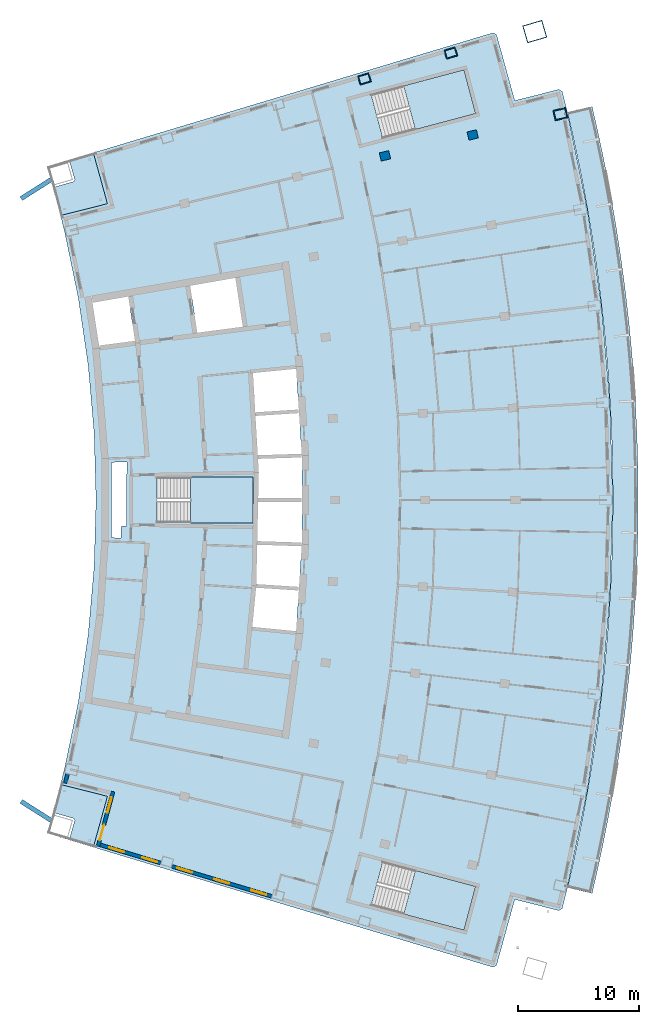
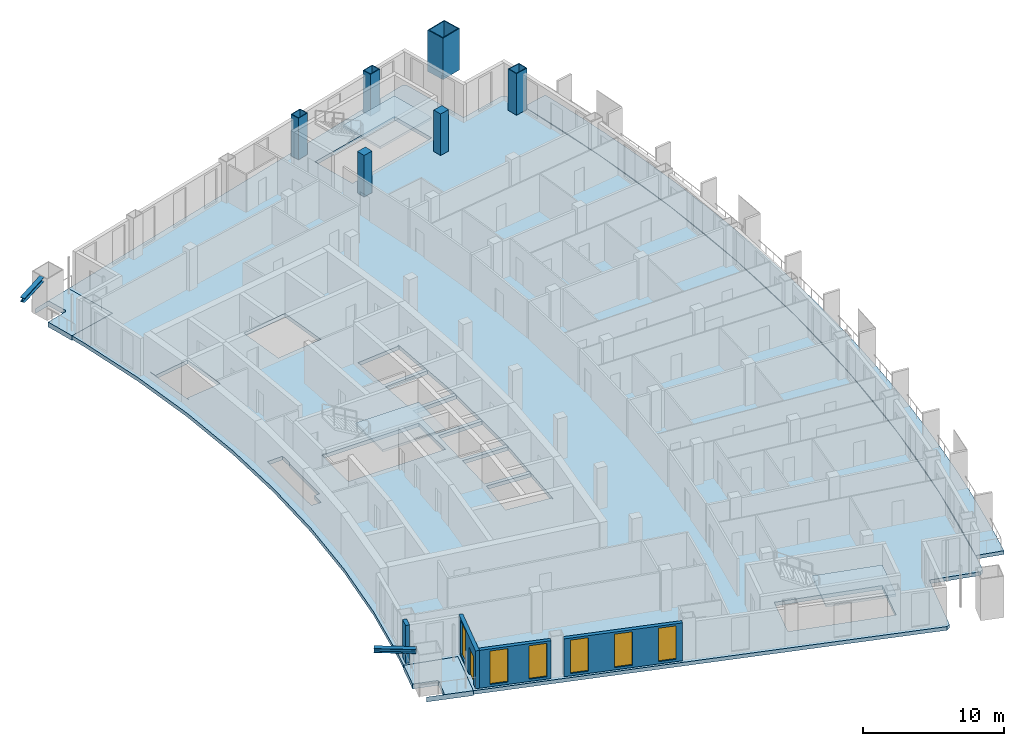
# One storey, part 8 of 19: 7 slabs, 6 columns, 6 windows, 4 walls, 2 members, 1 door, 7 openings, 3 elements without a shape of their own.
"""IFC4 building model written with IfcOpenShell, lengths in metres."""

from ifc_helpers import new_model, si_unit, direction, frame, frame_2d, origin, origin_2d, place, context, subcontext, project, spatial, polyline, rectangle, hollow_rectangle, i_section, outline, extrude, material, layer, layer_set, material_profile, profile_set, type_object, element, fill, aggregate, save


model = new_model("IFC4")

# Units and contexts
model_context = context("Model", 3, precision=1e-05, world=origin(), true_north=direction((0.0, 1.0)))
body_context = subcontext(model_context, "Body", "Model", "MODEL_VIEW")
ifc_project = project(units=[si_unit("LENGTHUNIT", "METRE"), si_unit("AREAUNIT", "SQUARE_METRE"), si_unit("VOLUMEUNIT", "CUBIC_METRE"), si_unit("PLANEANGLEUNIT", "RADIAN"), si_unit("MASSUNIT", "GRAM", prefix="KILO")], contexts=[model_context])

# Site, building, storey
site_placement = place(None, origin())
site = spatial("IfcSite", under=ifc_project, at=site_placement, CompositionType="ELEMENT")
building_placement = place(site_placement, origin())
building = spatial("IfcBuilding", under=site, at=building_placement, Name="Alderwake Tower", CompositionType="ELEMENT")
storey_placement = place(building_placement, frame((0.0, 0.0, 203.60009765625)))
storey = spatial("IfcBuildingStorey", under=building, at=storey_placement, Name="L50", CompositionType="ELEMENT", Elevation=203.60009765625)

# Columns
ifc_material_1 = material(Name="Steel ASTM A572 Grade 50 concrete filled C70/85", Category="concrete")
ifc_material_profile_1 = material_profile(ifc_material_1, hollow_rectangle(XDim=0.75, YDim=0.949951171875, WallThickness=0.054931640625, at=origin_2d()), Name="BOX 950X750X55")
ifc_profile_set_1 = profile_set([ifc_material_profile_1], Name="Steel ASTM A572 Grade 50 concrete filled C70/85")
column_type_1 = type_object("IfcColumnType", Name="End column Z4", PredefinedType="COLUMN", material=ifc_profile_set_1)
for number, where, z_axis, x_axis, name in (
    (1, (38.231689453125, 95.8701171875, 0.0), (0.0, 0.0, 1.0), (-0.282883890943, 0.959154160834, 0.0), "Column R12-C3"),
    (2, (45.383056640625, 98.01708984375, 0.0), (0.0, 0.0, 1.0), (-0.283150052378, 0.959075621543, 0.0), "Column R12-C4"),
):
    element("IfcColumn", number, at=place(storey_placement, frame(where, z_axis=z_axis, x_axis=x_axis)), inside=storey, type_object=column_type_1, Name=name, PredefinedType="COLUMN", context=body_context, shape_type="SweptSolid", body=[
        extrude(hollow_rectangle(XDim=0.75, YDim=0.949951171875, WallThickness=0.054931640625, at=origin_2d()), origin(), (0.0, 0.0, 1.0), 3.599853515625),
    ])
ifc_material_2 = material(Name="Concrete C70/85", Category="concrete")
ifc_material_profile_2 = material_profile(ifc_material_2, rectangle(XDim=0.699951171875, YDim=0.800048828125, at=origin_2d()), Name="RC 800X700")
ifc_profile_set_2 = profile_set([ifc_material_profile_2], Name="Concrete C70/85")
column_type_2 = type_object("IfcColumnType", Name="Interior column Z4", PredefinedType="COLUMN", material=ifc_profile_set_2)
for number, where, z_axis, x_axis, name in (
    (3, (39.92626953125, 89.501953125, 0.0), (0.0, 0.0, 1.0), (-0.231221547198, 0.972901123502, 0.0), "Column R11-C3"),
    (4, (47.190673828125, 91.228515625, 0.0), (0.0, 0.0, 1.0), (-0.231221547198, 0.972901123502, 0.0), "Column R11-C4"),
):
    element("IfcColumn", number, at=place(storey_placement, frame(where, z_axis=z_axis, x_axis=x_axis)), inside=storey, type_object=column_type_2, Name=name, PredefinedType="COLUMN", context=body_context, shape_type="SweptSolid", body=[
        extrude(rectangle(XDim=0.699951171875, YDim=0.800048828125, at=origin_2d()), origin(), (0.0, 0.0, 1.0), 3.599853515625),
    ])
ifc_material_3 = material(Name="Steel ASTM A572 Grade 50 concrete filled C70/85", Category="concrete")
ifc_material_profile_3 = material_profile(ifc_material_3, hollow_rectangle(XDim=1.5, YDim=1.699951171875, WallThickness=0.074951171875, at=origin_2d()), Name="BOX 1700X1500X75")
ifc_profile_set_3 = profile_set([ifc_material_profile_3], Name="Steel ASTM A572 Grade 50 concrete filled C70/85")
column_type_3 = type_object("IfcColumnType", Name="Mega column Z4", PredefinedType="COLUMN", material=ifc_profile_set_3)
column_1_placement = place(storey_placement, frame((52.331298828125, 99.7919921875, 0.0), z_axis=(0.0, 0.0, 1.0), x_axis=(-0.281304888972, 0.959618444717, 0.0)))
element("IfcColumn", 5, at=column_1_placement, inside=storey, type_object=column_type_3, Name="Column R12-C5", PredefinedType="COLUMN", context=body_context, shape_type="SweptSolid", body=[
    extrude(hollow_rectangle(XDim=1.5, YDim=1.699951171875, WallThickness=0.074951171875, at=origin_2d()), origin(), (0.0, 0.0, 1.0), 3.599853515625),
])
ifc_material_4 = material(Name="Steel ASTM A572 Grade 50 concrete filled C70/85", Category="concrete")
ifc_material_profile_4 = material_profile(ifc_material_4, hollow_rectangle(XDim=0.85009765625, YDim=1.050048828125, WallThickness=0.054931640625, at=origin_2d()), Name="BOX 1050X850X55")
ifc_profile_set_4 = profile_set([ifc_material_profile_4], Name="Steel ASTM A572 Grade 50 concrete filled C70/85")
column_type_4 = type_object("IfcColumnType", Name="Perimeter column Z4", PredefinedType="COLUMN", material=ifc_profile_set_4)
column_2_placement = place(storey_placement, frame((54.454833984375, 92.954833984375, 0.0), z_axis=(0.0, 0.0, 1.0), x_axis=(-0.231221547198, 0.972901123502, 0.0)))
element("IfcColumn", 6, at=column_2_placement, inside=storey, type_object=column_type_4, Name="Column R11-C5", PredefinedType="COLUMN", context=body_context, shape_type="SweptSolid", body=[
    extrude(hollow_rectangle(XDim=0.85009765625, YDim=1.050048828125, WallThickness=0.054931640625, at=origin_2d()), origin(), (0.0, 0.0, 1.0), 3.599853515625),
])

# Members
ifc_material_5 = material(Name="Steel ASTM A992 Grade 50", Category="steel")
ifc_material_profile_5 = material_profile(ifc_material_5, i_section(OverallWidth=0.3740234375, OverallDepth=0.372314453125, WebThickness=0.016357421875, FlangeThickness=0.026123046875, at=origin_2d()), Name="W14X132")
ifc_profile_set_5 = profile_set([ifc_material_profile_5], Name="Steel ASTM A992 Grade 50")
member_type = type_object("IfcMemberType", Name="Brace node stub W14X132", PredefinedType="MEMBER", material=ifc_profile_set_5)
for number, where, z_axis, x_axis, name in (
    (7, (12.35009765625, 34.422119140625, 3.393798828125), (-0.844643389982, 0.535329378757, 0.0), (-0.535329378757, -0.844643389982, 0.0), "Brace node stub BS.RR02-C0.2072"),
    (8, (12.35009765625, 87.577880859375, 3.393798828125), (-0.844643389982, -0.535329378757, 0.0), (0.535329378757, -0.844643389982, 0.0), "Brace node stub BS.RR12-C0.2072"),
):
    element("IfcMember", number, at=place(storey_placement, frame(where, z_axis=z_axis, x_axis=x_axis)), inside=storey, type_object=member_type, Name=name, PredefinedType="MEMBER", context=body_context, shape_type="SweptSolid", body=[
        extrude(i_section(OverallWidth=0.3740234375, OverallDepth=0.372314453125, WebThickness=0.016357421875, FlangeThickness=0.026123046875, at=origin_2d()), origin(), (0.0, 0.0, 1.0), 3.015869140625),
    ])

# Slabs
ifc_material_6 = material(Name="Concrete C50/60", Category="concrete")
ifc_layer_1 = layer(ifc_material_6, 0.320068359375)
ifc_layer_set_1 = layer_set([ifc_layer_1], Name="Balcony slab 320")
slab_type_1 = type_object("IfcSlabType", Name="Balcony slab 320", PredefinedType="FLOOR", material=ifc_layer_set_1)
slab_1_placement = place(storey_placement, frame((0.0, 0.0, -0.320068359375)))
element("IfcSlab", 9, at=slab_1_placement, inside=storey, type_object=slab_type_1, Name="Balcony BF03", PredefinedType="FLOOR", context=body_context, shape_type="SweptSolid", body=[
    extrude(outline(polyline([(57.081787109375, 28.4208984375), (57.542236328125, 30.42333984375), (57.973388671875, 32.432373046875), (58.37548828125, 34.447509765625), (58.748046875, 36.46826171875), (59.091064453125, 38.494140625), (59.404296875, 40.52490234375), (59.68798828125, 42.559814453125), (59.942138671875, 44.598876953125), (60.16650390625, 46.641357421875), (60.361083984375, 48.68701171875), (60.525634765625, 50.735107421875), (60.660400390625, 52.785400390625), (60.76513671875, 54.837646484375), (60.840087890625, 56.89111328125), (60.885009765625, 58.9453125), (60.89990234375, 61.0), (60.885009765625, 63.0546875), (60.840087890625, 65.10888671875), (60.76513671875, 67.162353515625), (60.660400390625, 69.214599609375), (60.525634765625, 71.264892578125), (60.361083984375, 73.31298828125), (60.16650390625, 75.358642578125), (59.942138671875, 77.401123046875), (59.68798828125, 79.440185546875), (59.404296875, 81.47509765625), (59.091064453125, 83.505859375), (58.748046875, 85.53173828125), (58.37548828125, 87.552490234375), (57.973388671875, 89.567626953125), (57.542236328125, 91.57666015625), (57.081787109375, 93.5791015625), (55.038818359375, 93.093505859375), (55.4921875, 91.120849609375), (55.917236328125, 89.141845703125), (56.31298828125, 87.15673828125), (56.679931640625, 85.166259765625), (57.017822265625, 83.17041015625), (57.32666015625, 81.169921875), (57.606201171875, 79.165283203125), (57.8564453125, 77.156494140625), (58.077392578125, 75.14453125), (58.26904296875, 73.12939453125), (58.43115234375, 71.11181640625), (58.56396484375, 69.092041015625), (58.667236328125, 67.070556640625), (58.740966796875, 65.0478515625), (58.78515625, 63.024169921875), (58.800048828125, 61.0), (58.78515625, 58.975830078125), (58.740966796875, 56.9521484375), (58.667236328125, 54.929443359375), (58.56396484375, 52.907958984375), (58.43115234375, 50.88818359375), (58.26904296875, 48.87060546875), (58.077392578125, 46.85546875), (57.8564453125, 44.843505859375), (57.606201171875, 42.834716796875), (57.32666015625, 40.830078125), (57.017822265625, 38.82958984375), (56.679931640625, 36.833740234375), (56.31298828125, 34.84326171875), (55.917236328125, 32.858154296875), (55.4921875, 30.879150390625), (55.038818359375, 28.906494140625), (57.081787109375, 28.4208984375)])), origin(), (0.0, 0.0, 1.0), 0.320068359375),
])
ifc_material_7 = material(Name="Concrete C50/60", Category="concrete")
ifc_layer_2 = layer(ifc_material_7, 0.320068359375)
ifc_layer_set_2 = layer_set([ifc_layer_2], Name="Concrete C50/60 post-tensioned flat plate 320")
slab_type_2 = type_object("IfcSlabType", Name="Concrete C50/60 post-tensioned flat plate 320", PredefinedType="FLOOR", material=ifc_layer_set_2)
slab_2_placement = place(storey_placement, frame((0.0, 0.0, -0.320068359375)))
element("IfcSlab", 10, at=slab_2_placement, inside=storey, type_object=slab_type_2, Name="Floor slab L50", PredefinedType="FLOOR", context=body_context, shape_type="SweptSolid", body=[
    extrude(outline(polyline([(13.06494140625, 37.443115234375), (13.3984375, 38.802734375), (14.53369140625, 44.28564453125), (15.347412109375, 49.825439453125), (15.836669921875, 55.4033203125), (16.0, 61.0), (15.836669921875, 66.5966796875), (15.347412109375, 72.174560546875), (14.53369140625, 77.71435546875), (13.3984375, 83.197265625), (13.06494140625, 84.556884765625), (16.942626953125, 85.53857421875), (15.776611328125, 89.7548828125), (48.88671875, 99.695556640625), (49.168212890625, 99.539794921875), (50.6787109375, 94.077880859375), (54.333251953125, 95.0029296875), (54.611083984375, 94.8359375), (55.038818359375, 93.093505859375), (56.679931640625, 85.166259765625), (57.8564453125, 77.156494140625), (58.56396484375, 69.092041015625), (58.800048828125, 61.0), (58.56396484375, 52.907958984375), (57.8564453125, 44.843505859375), (56.679931640625, 36.833740234375), (55.038818359375, 28.906494140625), (54.611083984375, 27.1640625), (54.333251953125, 26.9970703125), (50.6787109375, 27.922119140625), (49.168212890625, 22.460205078125), (48.88671875, 22.304443359375), (15.776611328125, 32.2451171875), (16.942626953125, 36.46142578125), (13.06494140625, 37.443115234375)]), holes=[polyline([(29.25732421875, 53.7685546875), (28.939697265625, 50.49072265625), (32.546875, 50.1376953125), (32.5322265625, 49.988525390625), (32.562255859375, 49.985595703125), (32.80126953125, 53.654541015625), (33.0400390625, 57.323486328125), (33.0400390625, 61.0), (33.0400390625, 64.676513671875), (32.80126953125, 68.345458984375), (32.562255859375, 72.014404296875), (32.532470703125, 72.011474609375), (32.547119140625, 71.8623046875), (28.886962890625, 71.50390625), (28.88720703125, 71.50048828125), (28.99462890625, 71.506591796875), (29.184814453125, 68.26025390625), (32.761474609375, 68.4931640625), (32.771240234375, 68.343505859375), (32.781005859375, 68.19384765625), (29.2021484375, 67.960693359375), (29.392578125, 64.7080078125), (33.005126953125, 64.82568359375), (33.010009765625, 64.67578125), (33.014892578125, 64.525634765625), (29.41015625, 64.408447265625), (29.4765625, 63.27685546875), (29.429443359375, 61.14990234375), (33.010009765625, 61.14990234375), (33.010009765625, 61.0), (33.010009765625, 60.85009765625), (29.4228515625, 60.85009765625), (29.350830078125, 57.593505859375), (33.014892578125, 57.474365234375), (33.010009765625, 57.32421875), (33.005126953125, 57.17431640625), (29.34423828125, 57.29345703125), (29.2705078125, 53.9697265625), (29.274169921875, 53.969482421875), (29.2783203125, 54.0341796875), (32.781005859375, 53.80615234375), (32.771240234375, 53.656494140625), (32.761474609375, 53.5068359375), (29.2587890625, 53.73486328125), (29.260986328125, 53.768310546875), (29.25732421875, 53.7685546875)]), polyline([(21.050048828125, 62.875), (21.050048828125, 59.125), (29.0, 59.125), (29.0, 62.875), (21.050048828125, 62.875)]), polyline([(15.64111328125, 77.91015625), (15.487060546875, 77.8828125), (15.487548828125, 77.879150390625), (15.617919921875, 77.899169921875), (16.280029296875, 73.5927734375), (16.31005859375, 73.5966796875), (16.2841796875, 73.794921875), (19.224853515625, 74.1796875), (18.673095703125, 77.842041015625), (18.869140625, 77.87158203125), (18.8671875, 77.8837890625), (15.740234375, 77.340087890625), (15.64111328125, 77.91015625)]), polyline([(27.538330078125, 79.39111328125), (23.794921875, 78.740478515625), (24.384033203125, 74.8583984375), (24.36865234375, 74.856201171875), (24.369140625, 74.8525390625), (28.152587890625, 75.347412109375), (27.538330078125, 79.39111328125)]), polyline([(47.436279296875, 28.996826171875), (39.754150390625, 31.043212890625), (38.7890625, 27.41943359375), (46.47119140625, 25.373291015625), (47.436279296875, 28.996826171875)]), polyline([(46.47119140625, 96.626708984375), (38.7890625, 94.58056640625), (39.754150390625, 90.956787109375), (47.436279296875, 93.003173828125), (46.47119140625, 96.626708984375)]), polyline([(17.289306640625, 64.118408203125), (17.289306640625, 57.881591796875), (18.06298828125, 57.85400390625), (18.090576171875, 58.84375), (18.544189453125, 58.831298828125), (18.529296875, 58.8681640625), (18.5234375, 58.891845703125), (18.5185546875, 58.940673828125), (18.5185546875, 63.060302734375), (18.5234375, 63.109130859375), (18.53759765625, 63.156005859375), (18.560791015625, 63.19921875), (18.588623046875, 63.2333984375), (18.562744140625, 64.16357421875), (17.289306640625, 64.118408203125)])]), origin(), (0.0, 0.0, 1.0), 0.320068359375),
])

# Stair, slab
ifc_material_8 = material(Name="Concrete C40/50", Category="concrete")
stair_type = type_object("IfcStairType", Name="Core exit stair", PredefinedType="HALF_TURN_STAIR", material=ifc_material_8)
stair_1_placement = place(storey_placement, origin())
stair_1 = element("IfcStair", 11, at=stair_1_placement, inside=storey, type_object=stair_type, Name="L50 Exit Stair B", PredefinedType="HALF_TURN_STAIR")
ifc_material_9 = material(Name="Concrete C40/50", Category="concrete")
ifc_layer_3 = layer(ifc_material_9, 0.199951171875)
ifc_layer_set_3 = layer_set([ifc_layer_3], Name="Core stair landing 200")
slab_type_3 = type_object("IfcSlabType", Name="Core stair landing 200", PredefinedType="LANDING", material=ifc_layer_set_3)
slab_3_placement = place(storey_placement, frame((0.0, 0.0, 1.599853515625)))
slab_3 = element("IfcSlab", 12, at=slab_3_placement, type_object=slab_type_3, Name="ST-B landing 1", PredefinedType="LANDING", context=body_context, shape_type="SweptSolid", body=[
    extrude(outline(polyline([(23.830078125, 59.074951171875), (29.0, 59.074951171875), (29.0, 62.925048828125), (23.830078125, 62.925048828125), (23.830078125, 59.074951171875)])), origin(), (0.0, 0.0, 1.0), 0.199951171875),
])
aggregate(stair_1, [slab_3])

stair_2_placement = place(storey_placement, origin())
stair_2 = element("IfcStair", 13, at=stair_2_placement, inside=storey, type_object=stair_type, Name="L50 Exit Stair A", PredefinedType="HALF_TURN_STAIR")
slab_4_placement = place(storey_placement, frame((0.0, 0.0, 1.599853515625)))
slab_4 = element("IfcSlab", 14, at=slab_4_placement, type_object=slab_type_3, Name="ST-A landing 1", PredefinedType="LANDING", context=body_context, shape_type="SweptSolid", body=[
    extrude(outline(polyline([(42.440673828125, 91.67236328125), (47.436279296875, 93.003173828125), (46.47119140625, 96.626708984375), (41.475341796875, 95.296142578125), (42.440673828125, 91.67236328125)])), origin(), (0.0, 0.0, 1.0), 0.199951171875),
])
aggregate(stair_2, [slab_4])

stair_3_placement = place(storey_placement, origin())
stair_3 = element("IfcStair", 15, at=stair_3_placement, inside=storey, type_object=stair_type, Name="L50 Exit Stair C", PredefinedType="HALF_TURN_STAIR")
slab_5_placement = place(storey_placement, frame((0.0, 0.0, 1.599853515625)))
slab_5 = element("IfcSlab", 16, at=slab_5_placement, type_object=slab_type_3, Name="ST-C landing 1", PredefinedType="LANDING", context=body_context, shape_type="SweptSolid", body=[
    extrude(outline(polyline([(41.475341796875, 26.703857421875), (46.47119140625, 25.373291015625), (47.436279296875, 28.996826171875), (42.4404296875, 30.32763671875), (41.475341796875, 26.703857421875)])), origin(), (0.0, 0.0, 1.0), 0.199951171875),
])
aggregate(stair_3, [slab_5])

# Slabs
ifc_material_10 = material(Name="Concrete C50/60", Category="concrete")
ifc_layer_4 = layer(ifc_material_10, 0.419921875)
ifc_layer_set_4 = layer_set([ifc_layer_4], Name="Terrace slab 420")
slab_type_4 = type_object("IfcSlabType", Name="Terrace slab 420", PredefinedType="FLOOR", material=ifc_layer_set_4)
slab_6_placement = place(storey_placement, frame((0.0, 0.0, -0.420166015625)))
element("IfcSlab", 17, at=slab_6_placement, inside=storey, type_object=slab_type_4, Name="Corner terrace RS", PredefinedType="FLOOR", context=body_context, shape_type="SweptSolid", body=[
    extrude(outline(polyline([(15.776611328125, 32.2451171875), (12.517333984375, 33.2236328125), (13.628662109375, 32.901123046875), (13.64306640625, 32.897705078125), (13.65771484375, 32.895751953125), (13.67236328125, 32.895263671875), (13.68701171875, 32.896240234375), (13.701416015625, 32.8984375), (13.7158203125, 32.90234375), (13.7294921875, 32.907470703125), (13.742919921875, 32.913818359375), (13.75537109375, 32.921630859375), (13.76708984375, 32.930419921875), (13.77783203125, 32.9404296875), (13.78759765625, 32.951416015625), (13.796142578125, 32.96337890625), (13.8037109375, 32.976318359375), (13.809814453125, 32.989501953125), (13.814453125, 33.00341796875), (14.232421875, 34.444091796875), (14.23583984375, 34.45849609375), (14.23779296875, 34.472900390625), (14.23828125, 34.48779296875), (14.237548828125, 34.50244140625), (14.235107421875, 34.516845703125), (14.2314453125, 34.53125), (14.226318359375, 34.544921875), (14.2197265625, 34.55810546875), (14.212158203125, 34.57080078125), (14.203125, 34.58251953125), (14.193115234375, 34.59326171875), (14.18212890625, 34.60302734375), (14.170166015625, 34.611572265625), (14.157470703125, 34.618896484375), (14.14404296875, 34.625244140625), (14.130126953125, 34.6298828125), (12.49755859375, 35.103515625), (12.483154296875, 35.10693359375), (12.468505859375, 35.10888671875), (12.453857421875, 35.109619140625), (12.4404296875, 35.108642578125), (12.71142578125, 36.08837890625), (13.06494140625, 37.443115234375), (16.942626953125, 36.46142578125), (15.776611328125, 32.2451171875)])), origin(), (0.0, 0.0, 1.0), 0.420166015625),
])
slab_7_placement = place(storey_placement, frame((0.0, 0.0, -0.420166015625)))
element("IfcSlab", 18, at=slab_7_placement, inside=storey, type_object=slab_type_4, Name="Corner terrace RN", PredefinedType="FLOOR", context=body_context, shape_type="SweptSolid", body=[
    extrude(outline(polyline([(12.4404296875, 86.891357421875), (12.453857421875, 86.890380859375), (12.468505859375, 86.89111328125), (12.483154296875, 86.89306640625), (12.49755859375, 86.896484375), (14.130126953125, 87.3701171875), (14.14404296875, 87.374755859375), (14.157470703125, 87.381103515625), (14.170166015625, 87.388427734375), (14.18212890625, 87.39697265625), (14.193115234375, 87.40673828125), (14.203125, 87.41748046875), (14.212158203125, 87.42919921875), (14.2197265625, 87.44189453125), (14.226318359375, 87.455078125), (14.2314453125, 87.46875), (14.235107421875, 87.483154296875), (14.237548828125, 87.49755859375), (14.23828125, 87.51220703125), (14.23779296875, 87.527099609375), (14.23583984375, 87.54150390625), (14.232421875, 87.555908203125), (13.814453125, 88.99658203125), (13.809814453125, 89.010498046875), (13.8037109375, 89.023681640625), (13.796142578125, 89.03662109375), (13.78759765625, 89.048583984375), (13.77783203125, 89.0595703125), (13.76708984375, 89.069580078125), (13.75537109375, 89.078369140625), (13.742919921875, 89.086181640625), (13.7294921875, 89.092529296875), (13.7158203125, 89.09765625), (13.701416015625, 89.1015625), (13.68701171875, 89.103759765625), (13.67236328125, 89.104736328125), (13.65771484375, 89.104248046875), (13.64306640625, 89.102294921875), (13.628662109375, 89.098876953125), (12.517333984375, 88.7763671875), (15.776611328125, 89.7548828125), (16.942626953125, 85.53857421875), (13.06494140625, 84.556884765625), (12.71142578125, 85.91162109375), (12.4404296875, 86.891357421875)])), origin(), (0.0, 0.0, 1.0), 0.420166015625),
])

# Wall
ifc_material_11 = material(Name="Precast concrete C50/60 spandrel panel", Category="concrete")
ifc_layer_5 = layer(ifc_material_11, 0.300048828125)
ifc_layer_set_5 = layer_set([ifc_layer_5], Name="External wall EW1 Precast concrete C50/60 spandrel")
wall_type_1 = type_object("IfcWallType", Name="External wall EW1 Precast concrete C50/60 spandrel", PredefinedType="SOLIDWALL", material=ifc_layer_set_5)
wall_1_placement = place(storey_placement, frame((13.63720703125, 38.30712890625, 0.0), z_axis=(0.0, 0.0, 1.0), x_axis=(-0.23817684901, -0.971221801957, 0.0)))
element("IfcWall", 19, at=wall_1_placement, inside=storey, type_object=wall_type_1, Name="External wall 1", PredefinedType="SOLIDWALL", context=body_context, shape_type="SweptSolid", body=[
    extrude(rectangle(XDim=0.778076171875, YDim=0.300048828125, at=frame_2d((0.38916015625, 0.0))), origin(), (0.0, 0.0, 1.0), 3.27978515625),
])

# Wall, openings, door, window
ifc_material_12 = material(Name="Bronze metal cladding on lightweight framing")
ifc_layer_6 = layer(ifc_material_12, 0.300048828125)
ifc_layer_set_6 = layer_set([ifc_layer_6], Name="External wall EW2 bronze metal cladding")
wall_type_2 = type_object("IfcWallType", Name="External wall EW2 bronze metal cladding", PredefinedType="SOLIDWALL", material=ifc_layer_set_6)
wall_2_placement = place(storey_placement, frame((17.410400390625, 36.85888671875, 0.0), z_axis=(0.0, 0.0, 1.0), x_axis=(-0.264592640785, -0.96436027212, 0.0)))
wall_2 = element("IfcWall", 20, at=wall_2_placement, inside=storey, type_object=wall_type_2, Name="External wall 3", PredefinedType="SOLIDWALL", context=body_context, shape_type="SweptSolid", body=[
    extrude(rectangle(XDim=4.690185546875, YDim=0.300048828125, at=frame_2d((2.34521484375, 0.0))), origin(), (0.0, 0.0, 1.0), 3.27978515625),
])
opening_1_placement = place(wall_2_placement, frame((0.5224609375, 0.0, 0.199951171875)))
opening_1 = element("IfcOpeningElement", 21, at=opening_1_placement, cuts=wall_2, Name="Opening W1", PredefinedType="OPENING", context=body_context, shape_type="SweptSolid", body=[
    extrude(rectangle(XDim=1.300048828125, YDim=2.89990234375, at=frame_2d((0.64990234375, 1.449951171875))), frame((0.0, 0.159912109375, 0.0), z_axis=(0.0, -1.0, 0.0), x_axis=(1.0, 0.0, 0.0)), (0.0, 0.0, 1.0), 0.320068359375),
])
opening_2_placement = place(wall_2_placement, frame((2.867431640625, 0.0, 0.0)))
opening_2 = element("IfcOpeningElement", 22, at=opening_2_placement, cuts=wall_2, Name="Opening D01", PredefinedType="OPENING", context=body_context, shape_type="SweptSolid", body=[
    extrude(rectangle(XDim=1.300048828125, YDim=2.39990234375, at=frame_2d((0.64990234375, 1.199951171875))), frame((0.0, 0.159912109375, 0.0), z_axis=(0.0, -1.0, 0.0), x_axis=(1.0, 0.0, 0.0)), (0.0, 0.0, 1.0), 0.320068359375),
])
ifc_material_13 = material(Name="Bronze tinted glass in aluminium frame", Category="aluminium")
door_type = type_object("IfcDoorType", Name="Balcony door BD sliding", OperationType="SLIDING_TO_LEFT", PredefinedType="DOOR", material=ifc_material_13)
door_placement = place(opening_2_placement, origin())
door = element("IfcDoor", 23, at=door_placement, inside=storey, type_object=door_type, Name="Door D01", OperationType="SLIDING_TO_LEFT", OverallHeight=2.39990234375, OverallWidth=1.300048828125, PredefinedType="DOOR", context=body_context, shape_type="SweptSolid", body=[
    extrude(rectangle(XDim=1.300048828125, YDim=2.39990234375, at=frame_2d((0.64990234375, 1.199951171875))), frame((0.0, 0.02490234375, 0.0), z_axis=(0.0, -1.0, 0.0), x_axis=(1.0, 0.0, 0.0)), (0.0, 0.0, 1.0), 0.050048828125),
])
fill(opening_2, door)
ifc_material_14 = material(Name="Bronze tinted glass in aluminium frame", Category="aluminium")
window_type = type_object("IfcWindowType", Name="Window W1 tall fixed and vent", PartitioningType="DOUBLE_PANEL_VERTICAL", PredefinedType="WINDOW", material=ifc_material_14)
window_1_placement = place(opening_1_placement, origin())
window_1 = element("IfcWindow", 24, at=window_1_placement, inside=storey, type_object=window_type, Name="Window W1 tall fixed and vent", OverallHeight=2.89990234375, OverallWidth=1.300048828125, PartitioningType="DOUBLE_PANEL_VERTICAL", PredefinedType="WINDOW", context=body_context, shape_type="SweptSolid", body=[
    extrude(rectangle(XDim=1.300048828125, YDim=2.89990234375, at=frame_2d((0.64990234375, 1.449951171875))), frame((0.0, 0.030029296875, 0.0), z_axis=(0.0, -1.0, 0.0), x_axis=(1.0, 0.0, 0.0)), (0.0, 0.0, 1.0), 0.06005859375),
])
fill(opening_1, window_1)

# Wall, openings, windows
wall_3_placement = place(storey_placement, frame((16.352783203125, 32.4375, 0.0), z_axis=(0.0, 0.0, 1.0), x_axis=(0.95777225046, -0.287527939944, 0.0)))
wall_3 = element("IfcWall", 25, at=wall_3_placement, inside=storey, type_object=wall_type_2, Name="External wall 4", PredefinedType="SOLIDWALL", context=body_context, shape_type="SweptSolid", body=[
    extrude(rectangle(XDim=5.224609375, YDim=0.300048828125, at=frame_2d((2.6123046875, 0.0))), origin(), (0.0, 0.0, 1.0), 3.27978515625),
])
opening_3_placement = place(wall_3_placement, frame((0.775390625, 0.0, 0.199951171875)))
opening_3 = element("IfcOpeningElement", 26, at=opening_3_placement, cuts=wall_3, Name="Opening W1", PredefinedType="OPENING", context=body_context, shape_type="SweptSolid", body=[
    extrude(rectangle(XDim=1.300048828125, YDim=2.89990234375, at=frame_2d((0.64990234375, 1.449951171875))), frame((0.0, 0.159912109375, 0.0), z_axis=(0.0, -1.0, 0.0), x_axis=(1.0, 0.0, 0.0)), (0.0, 0.0, 1.0), 0.320068359375),
])
opening_4_placement = place(wall_3_placement, frame((3.626220703125, 0.0, 0.199951171875)))
opening_4 = element("IfcOpeningElement", 27, at=opening_4_placement, cuts=wall_3, Name="Opening W1", PredefinedType="OPENING", context=body_context, shape_type="SweptSolid", body=[
    extrude(rectangle(XDim=1.300048828125, YDim=2.89990234375, at=frame_2d((0.64990234375, 1.449951171875))), frame((0.0, 0.159912109375, 0.0), z_axis=(0.0, -1.0, 0.0), x_axis=(1.0, 0.0, 0.0)), (0.0, 0.0, 1.0), 0.320068359375),
])
window_2_placement = place(opening_3_placement, origin())
window_2 = element("IfcWindow", 28, at=window_2_placement, inside=storey, type_object=window_type, Name="Window W1 tall fixed and vent", OverallHeight=2.89990234375, OverallWidth=1.300048828125, PartitioningType="DOUBLE_PANEL_VERTICAL", PredefinedType="WINDOW", context=body_context, shape_type="SweptSolid", body=[
    extrude(rectangle(XDim=1.300048828125, YDim=2.89990234375, at=frame_2d((0.64990234375, 1.449951171875))), frame((0.0, 0.030029296875, 0.0), z_axis=(0.0, -1.0, 0.0), x_axis=(1.0, 0.0, 0.0)), (0.0, 0.0, 1.0), 0.06005859375),
])
fill(opening_3, window_2)
window_3_placement = place(opening_4_placement, origin())
window_3 = element("IfcWindow", 29, at=window_3_placement, inside=storey, type_object=window_type, Name="Window W1 tall fixed and vent", OverallHeight=2.89990234375, OverallWidth=1.300048828125, PartitioningType="DOUBLE_PANEL_VERTICAL", PredefinedType="WINDOW", context=body_context, shape_type="SweptSolid", body=[
    extrude(rectangle(XDim=1.300048828125, YDim=2.89990234375, at=frame_2d((0.64990234375, 1.449951171875))), frame((0.0, 0.030029296875, 0.0), z_axis=(0.0, -1.0, 0.0), x_axis=(1.0, 0.0, 0.0)), (0.0, 0.0, 1.0), 0.06005859375),
])
fill(opening_4, window_3)

wall_4_placement = place(storey_placement, frame((22.270751953125, 30.660888671875, 0.0), z_axis=(0.0, 0.0, 1.0), x_axis=(0.957759421932, -0.287570669054, 0.0)))
wall_4 = element("IfcWall", 30, at=wall_4_placement, inside=storey, type_object=wall_type_2, Name="External wall 5", PredefinedType="SOLIDWALL", context=body_context, shape_type="SweptSolid", body=[
    extrude(rectangle(XDim=8.64599609375, YDim=0.300048828125, at=frame_2d((4.322998046875, 0.0))), origin(), (0.0, 0.0, 1.0), 3.27978515625),
])
opening_5_placement = place(wall_4_placement, frame((0.472900390625, 0.0, 0.199951171875)))
opening_5 = element("IfcOpeningElement", 31, at=opening_5_placement, cuts=wall_4, Name="Opening W1", PredefinedType="OPENING", context=body_context, shape_type="SweptSolid", body=[
    extrude(rectangle(XDim=1.300048828125, YDim=2.89990234375, at=frame_2d((0.64990234375, 1.449951171875))), frame((0.0, 0.159912109375, 0.0), z_axis=(0.0, -1.0, 0.0), x_axis=(1.0, 0.0, 0.0)), (0.0, 0.0, 1.0), 0.320068359375),
])
opening_6_placement = place(wall_4_placement, frame((3.673095703125, 0.0, 0.199951171875)))
opening_6 = element("IfcOpeningElement", 32, at=opening_6_placement, cuts=wall_4, Name="Opening W1", PredefinedType="OPENING", context=body_context, shape_type="SweptSolid", body=[
    extrude(rectangle(XDim=1.300048828125, YDim=2.89990234375, at=frame_2d((0.64990234375, 1.449951171875))), frame((0.0, 0.159912109375, 0.0), z_axis=(0.0, -1.0, 0.0), x_axis=(1.0, 0.0, 0.0)), (0.0, 0.0, 1.0), 0.320068359375),
])
opening_7_placement = place(wall_4_placement, frame((6.873046875, 0.0, 0.199951171875)))
opening_7 = element("IfcOpeningElement", 33, at=opening_7_placement, cuts=wall_4, Name="Opening W1", PredefinedType="OPENING", context=body_context, shape_type="SweptSolid", body=[
    extrude(rectangle(XDim=1.300048828125, YDim=2.89990234375, at=frame_2d((0.64990234375, 1.449951171875))), frame((0.0, 0.159912109375, 0.0), z_axis=(0.0, -1.0, 0.0), x_axis=(1.0, 0.0, 0.0)), (0.0, 0.0, 1.0), 0.320068359375),
])
window_4_placement = place(opening_5_placement, origin())
window_4 = element("IfcWindow", 34, at=window_4_placement, inside=storey, type_object=window_type, Name="Window W1 tall fixed and vent", OverallHeight=2.89990234375, OverallWidth=1.300048828125, PartitioningType="DOUBLE_PANEL_VERTICAL", PredefinedType="WINDOW", context=body_context, shape_type="SweptSolid", body=[
    extrude(rectangle(XDim=1.300048828125, YDim=2.89990234375, at=frame_2d((0.64990234375, 1.449951171875))), frame((0.0, 0.030029296875, 0.0), z_axis=(0.0, -1.0, 0.0), x_axis=(1.0, 0.0, 0.0)), (0.0, 0.0, 1.0), 0.06005859375),
])
fill(opening_5, window_4)
window_5_placement = place(opening_6_placement, origin())
window_5 = element("IfcWindow", 35, at=window_5_placement, inside=storey, type_object=window_type, Name="Window W1 tall fixed and vent", OverallHeight=2.89990234375, OverallWidth=1.300048828125, PartitioningType="DOUBLE_PANEL_VERTICAL", PredefinedType="WINDOW", context=body_context, shape_type="SweptSolid", body=[
    extrude(rectangle(XDim=1.300048828125, YDim=2.89990234375, at=frame_2d((0.64990234375, 1.449951171875))), frame((0.0, 0.030029296875, 0.0), z_axis=(0.0, -1.0, 0.0), x_axis=(1.0, 0.0, 0.0)), (0.0, 0.0, 1.0), 0.06005859375),
])
fill(opening_6, window_5)
window_6_placement = place(opening_7_placement, origin())
window_6 = element("IfcWindow", 36, at=window_6_placement, inside=storey, type_object=window_type, Name="Window W1 tall fixed and vent", OverallHeight=2.89990234375, OverallWidth=1.300048828125, PartitioningType="DOUBLE_PANEL_VERTICAL", PredefinedType="WINDOW", context=body_context, shape_type="SweptSolid", body=[
    extrude(rectangle(XDim=1.300048828125, YDim=2.89990234375, at=frame_2d((0.64990234375, 1.449951171875))), frame((0.0, 0.030029296875, 0.0), z_axis=(0.0, -1.0, 0.0), x_axis=(1.0, 0.0, 0.0)), (0.0, 0.0, 1.0), 0.06005859375),
])
fill(opening_7, window_6)

save(model, "model.ifc")
